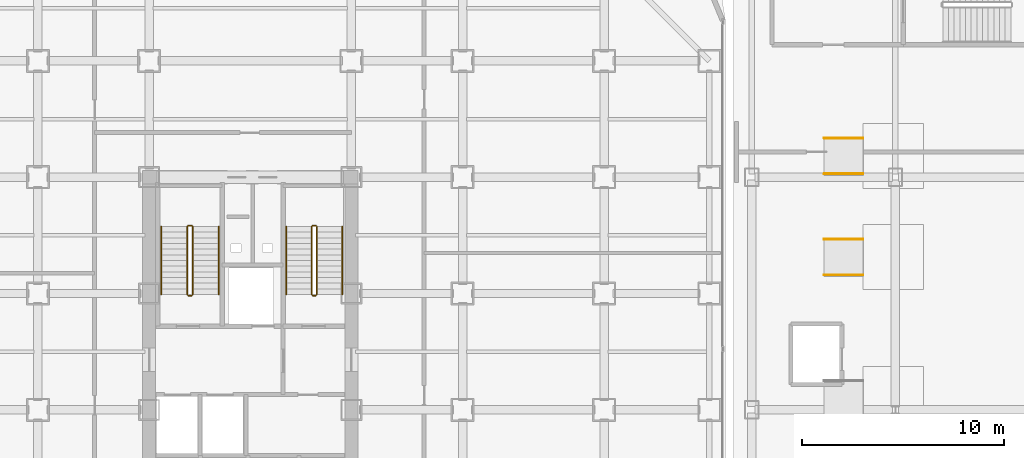
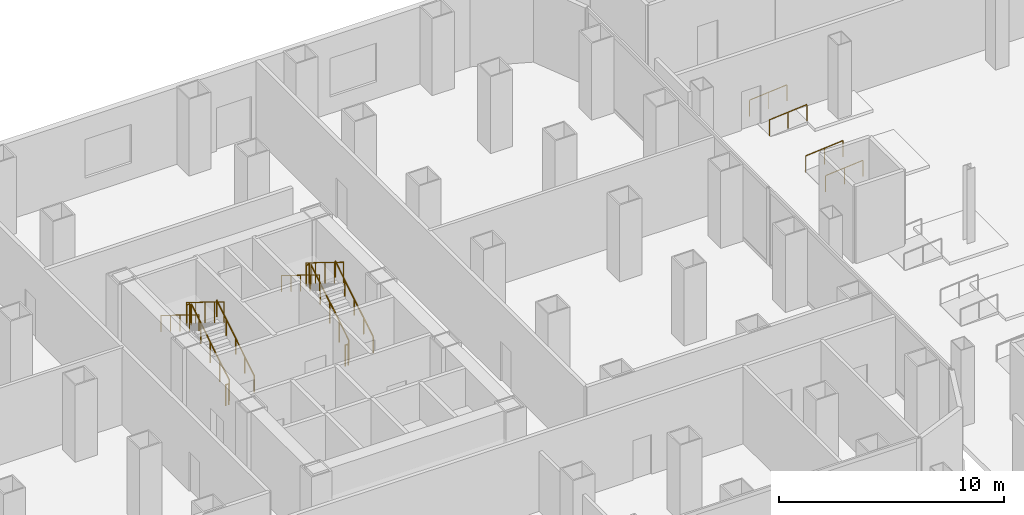
# One storey, part 28 of 31: 16 railings.
"""IFC4 building model written with IfcOpenShell, lengths in metres."""

import ifcopenshell
import ifcopenshell.guid

model = None  # the IFC model being written
_history = None  # IfcOwnerHistory: only IFC2X3 demands one
_inside = {}  # id of a spatial element -> (the spatial element, [elements in it])
_under = {}  # id of a project, library or spatial element -> (it, [spatial elements below it])
_declared = {}  # id of a project -> (the project, [libraries it declares])
_typed = {}  # id of a type object -> (the type object, [elements of that type])
_made_of = {}  # id of a material, layer set ... -> (it, [elements and type objects made of it])


def new_model(schema):
    """Start an empty IFC model of exactly this schema.

    Asked for "IFC4X3", IfcOpenShell would pick the latest addendum, in which some entities
    have other attributes; the version numbers below select the first issue.
    IFC2X3 requires an IfcOwnerHistory on every rooted entity: one is made here for all.
    """
    global model, _history
    if schema == "IFC4X3":
        model = ifcopenshell.file(schema_version=(4, 3, 0, 0))
    else:
        model = ifcopenshell.file(schema=schema)
    _inside.clear()
    _under.clear()
    _declared.clear()
    _typed.clear()
    _made_of.clear()
    _history = None
    if model.schema == "IFC2X3":
        org = make("IfcOrganization", Name="unknown")
        user = make(
            "IfcPersonAndOrganization",
            ThePerson=make("IfcPerson", FamilyName="unknown"),
            TheOrganization=org,
        )
        app = make(
            "IfcApplication",
            ApplicationDeveloper=org,
            Version="unknown",
            ApplicationFullName="unknown",
            ApplicationIdentifier="unknown",
        )
        _history = make(
            "IfcOwnerHistory",
            OwningUser=user,
            OwningApplication=app,
            ChangeAction="ADDED",
            CreationDate=0,
        )
    return model


def make(cls, **values):
    """One entity of the class cls with the attributes given. An attribute that is None is left unset."""
    return model.create_entity(
        cls, **{name: value for name, value in values.items() if value is not None}
    )


def rooted(cls, **values):
    """An entity with a GlobalId (a new one), such as an element, a storey or a relation."""
    return make(cls, GlobalId=ifcopenshell.guid.new(), OwnerHistory=_history, **values)


def si_unit(unit_type, name, prefix=None):
    """IfcSIUnit, for example si_unit("LENGTHUNIT", "METRE", prefix="MILLI")."""
    return make("IfcSIUnit", UnitType=unit_type, Prefix=prefix, Name=name)


def assignment(units):
    """IfcUnitAssignment: the units of a project."""
    return None if units is None else make("IfcUnitAssignment", Units=units)


def point(xyz):
    """IfcCartesianPoint."""
    return None if xyz is None else make("IfcCartesianPoint", Coordinates=xyz)


def direction(xyz):
    """IfcDirection."""
    return None if xyz is None else make("IfcDirection", DirectionRatios=xyz)


def frame(location, z_axis=None, x_axis=None):
    """IfcAxis2Placement3D, a coordinate frame: its origin and axes. An axis left out is left unset."""
    return make(
        "IfcAxis2Placement3D",
        Location=point(location),
        Axis=direction(z_axis),
        RefDirection=direction(x_axis),
    )


def frame_2d(location, x_axis=None):
    """IfcAxis2Placement2D, a coordinate frame in the plane: its origin and x axis."""
    return make(
        "IfcAxis2Placement2D", Location=point(location), RefDirection=direction(x_axis)
    )


def origin():
    """The frame at (0, 0, 0) with its axes left unset."""
    return frame((0.0, 0.0, 0.0))


def origin_2d():
    """The frame at (0, 0) in the plane with its x axis left unset."""
    return frame_2d((0.0, 0.0))


def place(relative_to, where):
    """IfcLocalPlacement: puts the frame where relative to a parent placement (None: the world)."""
    return make(
        "IfcLocalPlacement", PlacementRelTo=relative_to, RelativePlacement=where
    )


def context(
    kind, dimensions, precision=None, world=None, true_north=None, identifier=None
):
    """IfcGeometricRepresentationContext, for example the 3D "Model" context."""
    return make(
        "IfcGeometricRepresentationContext",
        ContextIdentifier=identifier,
        ContextType=kind,
        CoordinateSpaceDimension=dimensions,
        Precision=precision,
        WorldCoordinateSystem=world,
        TrueNorth=true_north,
    )


def subcontext(parent, identifier, kind, view, scale=None):
    """IfcGeometricRepresentationSubContext, for example "Body" below "Model"."""
    return make(
        "IfcGeometricRepresentationSubContext",
        ContextIdentifier=identifier,
        ContextType=kind,
        ParentContext=parent,
        TargetScale=scale,
        TargetView=view,
    )


def project(units=None, contexts=None):
    """IfcProject with its units and contexts."""
    return rooted(
        "IfcProject",
        Name="project",
        RepresentationContexts=contexts,
        UnitsInContext=assignment(units),
    )


def spatial(cls, under=None, at=None, **own):
    """A site, building, storey or space (cls), placed at a placement, below another one or the project."""
    s = rooted(cls, ObjectPlacement=at, **own)
    if under is not None:
        _under.setdefault(under.id(), (under, []))[1].append(s)
    return s


def profile(cls, at=None, kind="AREA", **sizes):
    """A parametric profile (cls). Its sizes go by their IFC names, for example OverallWidth=200.0."""
    return make(cls, ProfileType=kind, Position=at, **sizes)


def circle(**sizes):
    """IfcCircleProfileDef."""
    return profile("IfcCircleProfileDef", **sizes)


def extrude(swept, where, along, depth):
    """IfcExtrudedAreaSolid: the profile swept, set in the frame where, extruded along a direction by depth."""
    return make(
        "IfcExtrudedAreaSolid",
        SweptArea=swept,
        Position=where,
        ExtrudedDirection=direction(along),
        Depth=depth,
    )


def shape(context_of_items, identifier, shape_type, items):
    """IfcShapeRepresentation: the items that make up one representation, for example the "Body"."""
    return make(
        "IfcShapeRepresentation",
        ContextOfItems=context_of_items,
        RepresentationIdentifier=identifier,
        RepresentationType=shape_type,
        Items=items,
    )


def material(Name=None, Category=None):
    """IfcMaterial."""
    return make("IfcMaterial", Name=Name, Category=Category)


def made_of(thing, what):
    """Note that an element or type object is made of a material, layer set ...; save() writes the relation."""
    if what is not None:
        _made_of.setdefault(what.id(), (what, []))[1].append(thing)
    return thing


def type_object(cls, material=None, **own):
    """A type object (cls), such as IfcWallType, which elements share."""
    return made_of(rooted(cls, **own), material)


def element(
    cls,
    number,
    at=None,
    inside=None,
    cuts=None,
    type_object=None,
    material=None,
    context=None,
    identifier="Body",
    shape_type=None,
    held_by="IfcProductDefinitionShape",
    body=None,
    shapes=None,
    **own,
):
    """One element of the class cls, such as IfcWall. Its Tag is "e" and its number.

    at: its placement. inside: the storey or other place that contains it. cuts: it is an
    opening in that element (IfcRelVoidsElement). A single representation is given by context,
    identifier, shape_type and body (its items); several are given by shapes. held_by: the class
    of the entity that holds the representations. save() writes the other relations.
    """
    e = rooted(cls, Tag="e%d" % number, ObjectPlacement=at, **own)
    if body is not None:
        shapes = [shape(context, identifier, shape_type, body)]
    if shapes is not None:
        e.Representation = make(held_by, Representations=shapes)
    if inside is not None:
        _inside.setdefault(inside.id(), (inside, []))[1].append(e)
    if cuts is not None:
        rooted(
            "IfcRelVoidsElement", RelatingBuildingElement=cuts, RelatedOpeningElement=e
        )
    if type_object is not None:
        _typed.setdefault(type_object.id(), (type_object, []))[1].append(e)
    return made_of(e, material)


def aggregate(whole, parts):
    """IfcRelAggregates: a whole, such as a stair, and the parts it consists of."""
    return rooted("IfcRelAggregates", RelatingObject=whole, RelatedObjects=parts)


def save(model, path):
    """Write the relations noted so far, then the file.

    IfcRelAggregates (storeys below a building ...), IfcRelContainedInSpatialStructure (elements
    in a storey), IfcRelDefinesByType, IfcRelAssociatesMaterial and IfcRelDeclares: one each for
    every whole, place, type object, material and project.
    """
    for whole, parts in _under.values():
        aggregate(whole, parts)
    for where, things in _inside.values():
        rooted(
            "IfcRelContainedInSpatialStructure",
            RelatedElements=things,
            RelatingStructure=where,
        )
    for kind, things in _typed.values():
        rooted("IfcRelDefinesByType", RelatedObjects=things, RelatingType=kind)
    for what, things in _made_of.values():
        rooted("IfcRelAssociatesMaterial", RelatedObjects=things, RelatingMaterial=what)
    for by, libraries in _declared.values():
        rooted("IfcRelDeclares", RelatingContext=by, RelatedDefinitions=libraries)
    model.write(path)


model = new_model("IFC4")

# Units and contexts
model_context = context("Model", 3, precision=1e-05, world=origin(), true_north=direction((0.0, 1.0)))
body_context = subcontext(model_context, "Body", "Model", "MODEL_VIEW")
ifc_project = project(units=[si_unit("LENGTHUNIT", "METRE"), si_unit("AREAUNIT", "SQUARE_METRE"), si_unit("VOLUMEUNIT", "CUBIC_METRE"), si_unit("PLANEANGLEUNIT", "RADIAN"), si_unit("MASSUNIT", "GRAM", prefix="KILO")], contexts=[model_context])

# Site, building, storey
site_placement = place(None, origin())
site = spatial("IfcSite", under=ifc_project, at=site_placement, CompositionType="ELEMENT")
building_placement = place(site_placement, origin())
building = spatial("IfcBuilding", under=site, at=building_placement, Name="Kolveth Station Tower", CompositionType="ELEMENT")
storey_placement = place(building_placement, origin())
storey = spatial("IfcBuildingStorey", under=building, at=storey_placement, Name="L00", CompositionType="ELEMENT", Elevation=0.0)

# Railings
ifc_material_1 = material(Name="Painted Steel S355 balustrade", Category="steel")
railing_type_1 = type_object("IfcRailingType", Name="Guard_GR2", PredefinedType="BALUSTRADE", material=ifc_material_1)
railing_1_placement = place(storey_placement, frame((20.64990234375, 22.949951171875, 0.173095703125)))
element("IfcRailing", 1, at=railing_1_placement, inside=storey, type_object=railing_type_1, Name="L00 ST1 stair guard 1", PredefinedType="BALUSTRADE", context=body_context, shape_type="SweptSolid", body=[
    extrude(circle(Radius=0.02392578125, at=origin_2d()), frame((0.0, 0.0, 1.1259765625), z_axis=(0.0, 0.850623216509, 0.525775754039), x_axis=(-1.0, 0.0, 0.0)), (0.0, 0.0, 1.0), 3.9501953125),
    extrude(circle(Radius=0.02099609375, at=origin_2d()), origin(), (0.0, 0.0, 1.0), 1.101806640625),
    extrude(circle(Radius=0.02099609375, at=origin_2d()), frame((0.0, 0.840087890625, 0.519287109375)), (0.0, 0.0, 1.0), 1.101806640625),
    extrude(circle(Radius=0.02099609375, at=origin_2d()), frame((0.0, 1.68017578125, 1.03857421875)), (0.0, 0.0, 1.0), 1.101806640625),
    extrude(circle(Radius=0.02099609375, at=origin_2d()), frame((0.0, 2.52001953125, 1.5576171875)), (0.0, 0.0, 1.0), 1.101806640625),
    extrude(circle(Radius=0.02099609375, at=origin_2d()), frame((0.0, 3.360107421875, 2.076904296875)), (0.0, 0.0, 1.0), 1.101806640625),
])
railing_2_placement = place(storey_placement, frame((20.60009765625, 26.360107421875, 2.25)))
element("IfcRailing", 2, at=railing_2_placement, inside=storey, type_object=railing_type_1, Name="L00 ST1 stair guard 2", PredefinedType="BALUSTRADE", context=body_context, shape_type="SweptSolid", body=[
    extrude(circle(Radius=0.02392578125, at=origin_2d()), frame((0.0, 0.0, 1.1259765625), z_axis=(-1.0, 0.0, 0.0), x_axis=(0.0, -1.0, 0.0)), (0.0, 0.0, 1.0), 0.16015625),
    extrude(circle(Radius=0.02099609375, at=origin_2d()), origin(), (0.0, 0.0, 1.0), 1.101806640625),
    extrude(circle(Radius=0.02099609375, at=origin_2d()), frame((-0.16015625, 0.0, 0.0)), (0.0, 0.0, 1.0), 1.101806640625),
])
railing_3_placement = place(storey_placement, frame((20.389892578125, 26.31005859375, 2.423095703125)))
element("IfcRailing", 3, at=railing_3_placement, inside=storey, type_object=railing_type_1, Name="L00 ST1 stair guard 3", PredefinedType="BALUSTRADE", context=body_context, shape_type="SweptSolid", body=[
    extrude(circle(Radius=0.02392578125, at=origin_2d()), frame((0.0, 0.0, 1.1259765625), z_axis=(0.0, -0.850623216509, 0.525775754039), x_axis=(1.0, 0.0, 0.0)), (0.0, 0.0, 1.0), 3.9501953125),
    extrude(circle(Radius=0.02099609375, at=origin_2d()), origin(), (0.0, 0.0, 1.0), 1.101806640625),
    extrude(circle(Radius=0.02099609375, at=origin_2d()), frame((0.0, -0.840087890625, 0.519287109375)), (0.0, 0.0, 1.0), 1.101806640625),
    extrude(circle(Radius=0.02099609375, at=origin_2d()), frame((0.0, -1.68017578125, 1.03857421875)), (0.0, 0.0, 1.0), 1.101806640625),
    extrude(circle(Radius=0.02099609375, at=origin_2d()), frame((0.0, -2.52001953125, 1.5576171875)), (0.0, 0.0, 1.0), 1.101806640625),
    extrude(circle(Radius=0.02099609375, at=origin_2d()), frame((0.0, -3.360107421875, 2.076904296875)), (0.0, 0.0, 1.0), 1.101806640625),
])
railing_4_placement = place(storey_placement, frame((20.60009765625, 22.89990234375, 0.0)))
element("IfcRailing", 4, at=railing_4_placement, inside=storey, type_object=railing_type_1, Name="L00 ST1 stair guard 4", PredefinedType="BALUSTRADE", context=body_context, shape_type="SweptSolid", body=[
    extrude(circle(Radius=0.02392578125, at=origin_2d()), frame((0.0, 0.0, 1.1259765625), z_axis=(-1.0, 0.0, 0.0), x_axis=(0.0, -1.0, 0.0)), (0.0, 0.0, 1.0), 0.16015625),
    extrude(circle(Radius=0.02099609375, at=origin_2d()), origin(), (0.0, 0.0, 1.0), 1.101806640625),
    extrude(circle(Radius=0.02099609375, at=origin_2d()), frame((-0.16015625, 0.0, 0.0)), (0.0, 0.0, 1.0), 1.101806640625),
])
railing_5_placement = place(storey_placement, frame((26.800048828125, 22.949951171875, 0.173095703125)))
element("IfcRailing", 5, at=railing_5_placement, inside=storey, type_object=railing_type_1, Name="L00 ST2 stair guard 1", PredefinedType="BALUSTRADE", context=body_context, shape_type="SweptSolid", body=[
    extrude(circle(Radius=0.02392578125, at=origin_2d()), frame((0.0, 0.0, 1.1259765625), z_axis=(0.0, 0.850623216509, 0.525775754039), x_axis=(-1.0, 0.0, 0.0)), (0.0, 0.0, 1.0), 3.9501953125),
    extrude(circle(Radius=0.02099609375, at=origin_2d()), origin(), (0.0, 0.0, 1.0), 1.101806640625),
    extrude(circle(Radius=0.02099609375, at=origin_2d()), frame((0.0, 0.840087890625, 0.519287109375)), (0.0, 0.0, 1.0), 1.101806640625),
    extrude(circle(Radius=0.02099609375, at=origin_2d()), frame((0.0, 1.68017578125, 1.03857421875)), (0.0, 0.0, 1.0), 1.101806640625),
    extrude(circle(Radius=0.02099609375, at=origin_2d()), frame((0.0, 2.52001953125, 1.5576171875)), (0.0, 0.0, 1.0), 1.101806640625),
    extrude(circle(Radius=0.02099609375, at=origin_2d()), frame((0.0, 3.360107421875, 2.076904296875)), (0.0, 0.0, 1.0), 1.101806640625),
])
railing_6_placement = place(storey_placement, frame((26.75, 26.360107421875, 2.25)))
element("IfcRailing", 6, at=railing_6_placement, inside=storey, type_object=railing_type_1, Name="L00 ST2 stair guard 2", PredefinedType="BALUSTRADE", context=body_context, shape_type="SweptSolid", body=[
    extrude(circle(Radius=0.02392578125, at=origin_2d()), frame((0.0, 0.0, 1.1259765625), z_axis=(-1.0, 0.0, 0.0), x_axis=(0.0, -1.0, 0.0)), (0.0, 0.0, 1.0), 0.159912109375),
    extrude(circle(Radius=0.02099609375, at=origin_2d()), origin(), (0.0, 0.0, 1.0), 1.101806640625),
    extrude(circle(Radius=0.02099609375, at=origin_2d()), frame((-0.159912109375, 0.0, 0.0)), (0.0, 0.0, 1.0), 1.101806640625),
])
railing_7_placement = place(storey_placement, frame((26.5400390625, 26.31005859375, 2.423095703125)))
element("IfcRailing", 7, at=railing_7_placement, inside=storey, type_object=railing_type_1, Name="L00 ST2 stair guard 3", PredefinedType="BALUSTRADE", context=body_context, shape_type="SweptSolid", body=[
    extrude(circle(Radius=0.02392578125, at=origin_2d()), frame((0.0, 0.0, 1.1259765625), z_axis=(0.0, -0.850623216509, 0.525775754039), x_axis=(1.0, 0.0, 0.0)), (0.0, 0.0, 1.0), 3.9501953125),
    extrude(circle(Radius=0.02099609375, at=origin_2d()), origin(), (0.0, 0.0, 1.0), 1.101806640625),
    extrude(circle(Radius=0.02099609375, at=origin_2d()), frame((0.0, -0.840087890625, 0.519287109375)), (0.0, 0.0, 1.0), 1.101806640625),
    extrude(circle(Radius=0.02099609375, at=origin_2d()), frame((0.0, -1.68017578125, 1.03857421875)), (0.0, 0.0, 1.0), 1.101806640625),
    extrude(circle(Radius=0.02099609375, at=origin_2d()), frame((0.0, -2.52001953125, 1.5576171875)), (0.0, 0.0, 1.0), 1.101806640625),
    extrude(circle(Radius=0.02099609375, at=origin_2d()), frame((0.0, -3.360107421875, 2.076904296875)), (0.0, 0.0, 1.0), 1.101806640625),
])
railing_8_placement = place(storey_placement, frame((26.75, 22.89990234375, 0.0)))
element("IfcRailing", 8, at=railing_8_placement, inside=storey, type_object=railing_type_1, Name="L00 ST2 stair guard 4", PredefinedType="BALUSTRADE", context=body_context, shape_type="SweptSolid", body=[
    extrude(circle(Radius=0.02392578125, at=origin_2d()), frame((0.0, 0.0, 1.1259765625), z_axis=(-1.0, 0.0, 0.0), x_axis=(0.0, -1.0, 0.0)), (0.0, 0.0, 1.0), 0.159912109375),
    extrude(circle(Radius=0.02099609375, at=origin_2d()), origin(), (0.0, 0.0, 1.0), 1.101806640625),
    extrude(circle(Radius=0.02099609375, at=origin_2d()), frame((-0.159912109375, 0.0, 0.0)), (0.0, 0.0, 1.0), 1.101806640625),
])
ifc_material_2 = material(Name="Brushed stainless steel", Category="steel")
railing_type_2 = type_object("IfcRailingType", Name="Handrail_HR1", PredefinedType="HANDRAIL", material=ifc_material_2)
railing_9_placement = place(storey_placement, frame((21.949951171875, 22.949951171875, 0.173095703125)))
element("IfcRailing", 9, at=railing_9_placement, inside=storey, type_object=railing_type_2, Name="L00 ST1 stair handrail 1", PredefinedType="HANDRAIL", context=body_context, shape_type="SweptSolid", body=[
    extrude(circle(Radius=0.02392578125, at=origin_2d()), frame((0.0, 0.0, 0.8759765625), z_axis=(0.0, 0.850623216509, 0.525775754039), x_axis=(-1.0, 0.0, 0.0)), (0.0, 0.0, 1.0), 3.9501953125),
    extrude(circle(Radius=0.02099609375, at=origin_2d()), origin(), (0.0, 0.0, 1.0), 0.851806640625),
    extrude(circle(Radius=0.02099609375, at=origin_2d()), frame((0.0, 0.840087890625, 0.519287109375)), (0.0, 0.0, 1.0), 0.851806640625),
    extrude(circle(Radius=0.02099609375, at=origin_2d()), frame((0.0, 1.68017578125, 1.03857421875)), (0.0, 0.0, 1.0), 0.851806640625),
    extrude(circle(Radius=0.02099609375, at=origin_2d()), frame((0.0, 2.52001953125, 1.5576171875)), (0.0, 0.0, 1.0), 0.851806640625),
    extrude(circle(Radius=0.02099609375, at=origin_2d()), frame((0.0, 3.360107421875, 2.076904296875)), (0.0, 0.0, 1.0), 0.851806640625),
])
railing_10_placement = place(storey_placement, frame((19.090087890625, 26.31005859375, 2.423095703125)))
element("IfcRailing", 10, at=railing_10_placement, inside=storey, type_object=railing_type_2, Name="L00 ST1 stair handrail 2", PredefinedType="HANDRAIL", context=body_context, shape_type="SweptSolid", body=[
    extrude(circle(Radius=0.02392578125, at=origin_2d()), frame((0.0, 0.0, 0.8759765625), z_axis=(0.0, -0.850623216509, 0.525775754039), x_axis=(1.0, 0.0, 0.0)), (0.0, 0.0, 1.0), 3.9501953125),
    extrude(circle(Radius=0.02099609375, at=origin_2d()), origin(), (0.0, 0.0, 1.0), 0.851806640625),
    extrude(circle(Radius=0.02099609375, at=origin_2d()), frame((0.0, -0.840087890625, 0.519287109375)), (0.0, 0.0, 1.0), 0.851806640625),
    extrude(circle(Radius=0.02099609375, at=origin_2d()), frame((0.0, -1.68017578125, 1.03857421875)), (0.0, 0.0, 1.0), 0.851806640625),
    extrude(circle(Radius=0.02099609375, at=origin_2d()), frame((0.0, -2.52001953125, 1.5576171875)), (0.0, 0.0, 1.0), 0.851806640625),
    extrude(circle(Radius=0.02099609375, at=origin_2d()), frame((0.0, -3.360107421875, 2.076904296875)), (0.0, 0.0, 1.0), 0.851806640625),
])
railing_11_placement = place(storey_placement, frame((28.050048828125, 22.949951171875, 0.173095703125)))
element("IfcRailing", 11, at=railing_11_placement, inside=storey, type_object=railing_type_2, Name="L00 ST2 stair handrail 1", PredefinedType="HANDRAIL", context=body_context, shape_type="SweptSolid", body=[
    extrude(circle(Radius=0.02392578125, at=origin_2d()), frame((0.0, 0.0, 0.8759765625), z_axis=(0.0, 0.850623216509, 0.525775754039), x_axis=(-1.0, 0.0, 0.0)), (0.0, 0.0, 1.0), 3.9501953125),
    extrude(circle(Radius=0.02099609375, at=origin_2d()), origin(), (0.0, 0.0, 1.0), 0.851806640625),
    extrude(circle(Radius=0.02099609375, at=origin_2d()), frame((0.0, 0.840087890625, 0.519287109375)), (0.0, 0.0, 1.0), 0.851806640625),
    extrude(circle(Radius=0.02099609375, at=origin_2d()), frame((0.0, 1.68017578125, 1.03857421875)), (0.0, 0.0, 1.0), 0.851806640625),
    extrude(circle(Radius=0.02099609375, at=origin_2d()), frame((0.0, 2.52001953125, 1.5576171875)), (0.0, 0.0, 1.0), 0.851806640625),
    extrude(circle(Radius=0.02099609375, at=origin_2d()), frame((0.0, 3.360107421875, 2.076904296875)), (0.0, 0.0, 1.0), 0.851806640625),
])
railing_12_placement = place(storey_placement, frame((25.2900390625, 26.31005859375, 2.423095703125)))
element("IfcRailing", 12, at=railing_12_placement, inside=storey, type_object=railing_type_2, Name="L00 ST2 stair handrail 2", PredefinedType="HANDRAIL", context=body_context, shape_type="SweptSolid", body=[
    extrude(circle(Radius=0.02392578125, at=origin_2d()), frame((0.0, 0.0, 0.8759765625), z_axis=(0.0, -0.850623216509, 0.525775754039), x_axis=(1.0, 0.0, 0.0)), (0.0, 0.0, 1.0), 3.9501953125),
    extrude(circle(Radius=0.02099609375, at=origin_2d()), origin(), (0.0, 0.0, 1.0), 0.851806640625),
    extrude(circle(Radius=0.02099609375, at=origin_2d()), frame((0.0, -0.840087890625, 0.519287109375)), (0.0, 0.0, 1.0), 0.851806640625),
    extrude(circle(Radius=0.02099609375, at=origin_2d()), frame((0.0, -1.68017578125, 1.03857421875)), (0.0, 0.0, 1.0), 0.851806640625),
    extrude(circle(Radius=0.02099609375, at=origin_2d()), frame((0.0, -2.52001953125, 1.5576171875)), (0.0, 0.0, 1.0), 0.851806640625),
    extrude(circle(Radius=0.02099609375, at=origin_2d()), frame((0.0, -3.360107421875, 2.076904296875)), (0.0, 0.0, 1.0), 0.851806640625),
])
for number, where, name in (
    (13, (51.8798828125, 23.9150390625, 0.0), "L00 Accessible Ramp 4 Handrail L"),
    (14, (51.8798828125, 25.68505859375, 0.0), "L00 Accessible Ramp 4 Handrail R"),
    (15, (51.8798828125, 28.9150390625, 0.0), "L00 Accessible Ramp 5 Handrail L"),
    (16, (51.8798828125, 30.68505859375, 0.0), "L00 Accessible Ramp 5 Handrail R"),
):
    element("IfcRailing", number, at=place(storey_placement, frame(where)), inside=storey, type_object=railing_type_2, Name=name, PredefinedType="HANDRAIL", context=body_context, shape_type="SweptSolid", body=[
        extrude(circle(Radius=0.02392578125, at=origin_2d()), frame((0.0, 0.0, 0.8759765625), z_axis=(0.996550126071, 0.0, 0.082993049279), x_axis=(0.0, 1.0, 0.0)), (0.0, 0.0, 1.0), 1.9267578125),
        extrude(circle(Radius=0.02099609375, at=origin_2d()), origin(), (0.0, 0.0, 1.0), 0.851806640625),
        extrude(circle(Radius=0.02099609375, at=origin_2d()), frame((0.9599609375, 0.0, 0.080078125)), (0.0, 0.0, 1.0), 0.851806640625),
        extrude(circle(Radius=0.02099609375, at=origin_2d()), frame((1.920166015625, 0.0, 0.159912109375)), (0.0, 0.0, 1.0), 0.851806640625),
    ])

save(model, "model.ifc")
